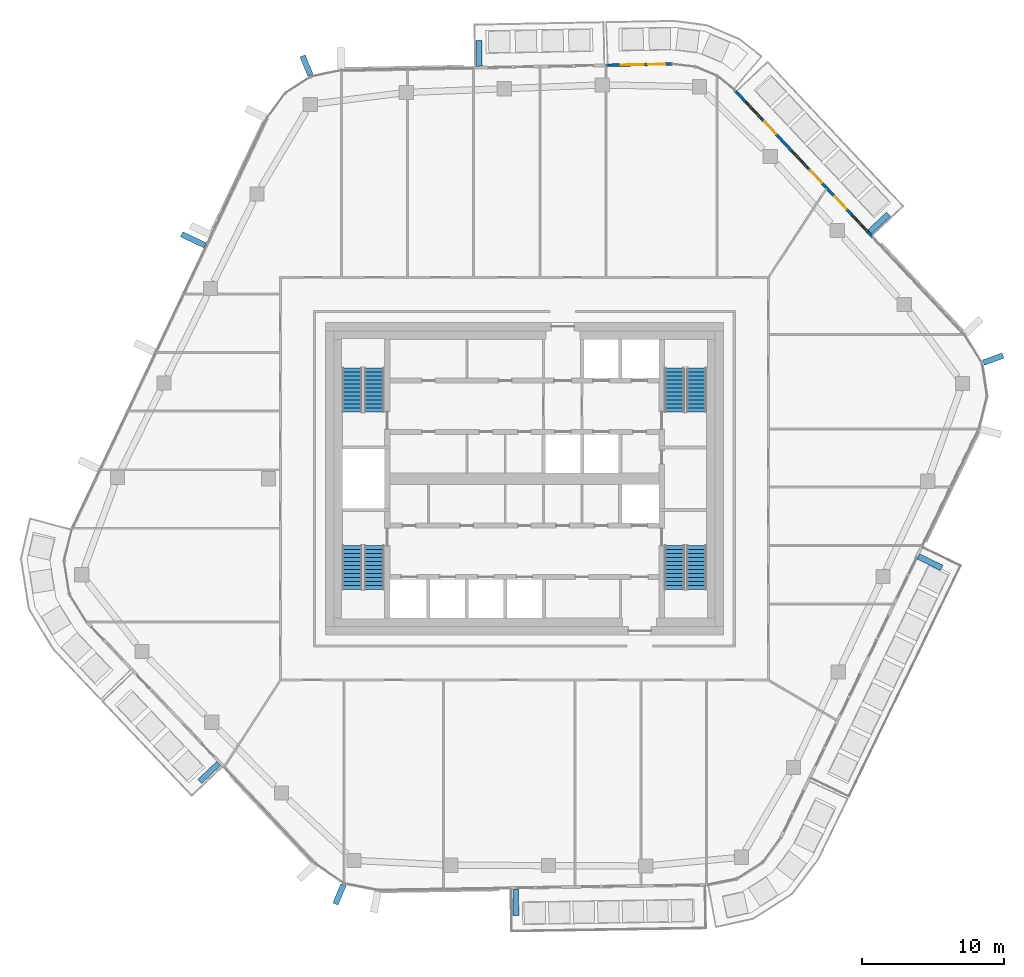
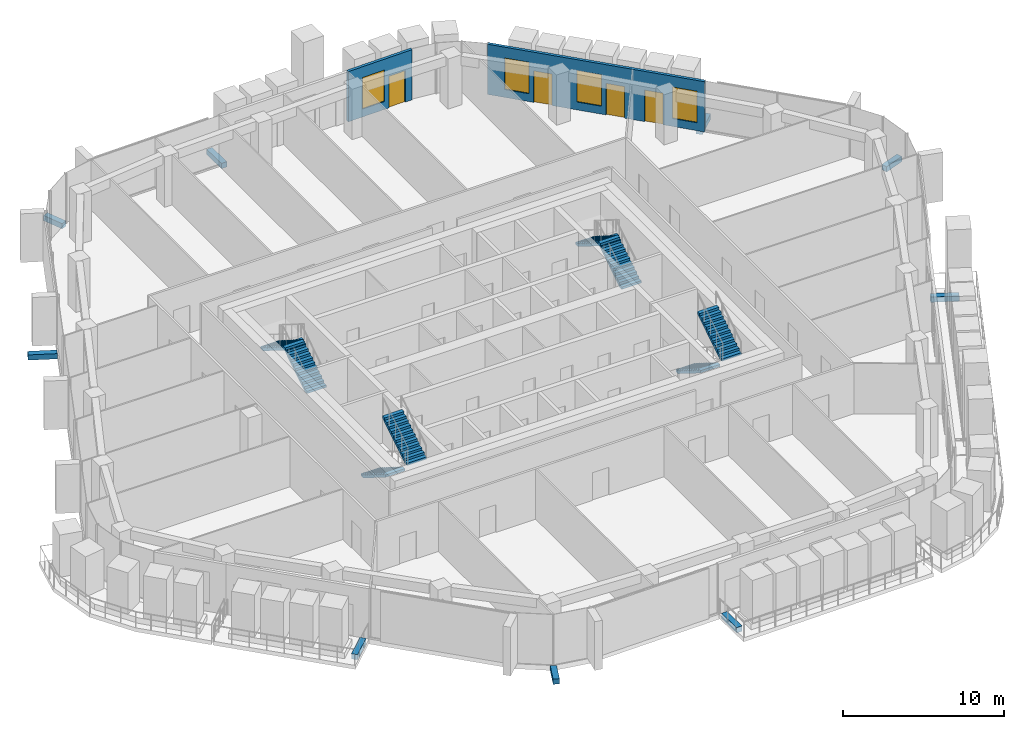
# One storey, part 17 of 24: 9 discrete accessories, 8 stair flights, 4 doors, 4 windows, 2 walls, 8 openings, 4 elements without a shape of their own.
"""IFC4 building model written with IfcOpenShell, lengths in metres."""

from ifc_helpers import new_model, si_unit, direction, frame, frame_2d, origin, origin_2d, place, context, subcontext, project, spatial, polyline, rectangle, outline, extrude, material, layer, layer_set, type_object, element, fill, aggregate, save


model = new_model("IFC4")

# Units and contexts
model_context = context("Model", 3, precision=1e-05, world=origin(), true_north=direction((0.0, 1.0)))
body_context = subcontext(model_context, "Body", "Model", "MODEL_VIEW")
ifc_project = project(units=[si_unit("LENGTHUNIT", "METRE"), si_unit("AREAUNIT", "SQUARE_METRE"), si_unit("VOLUMEUNIT", "CUBIC_METRE"), si_unit("PLANEANGLEUNIT", "RADIAN"), si_unit("MASSUNIT", "GRAM", prefix="KILO")], contexts=[model_context])

# Site, building, storey
site_placement = place(None, origin())
site = spatial("IfcSite", under=ifc_project, at=site_placement, CompositionType="ELEMENT")
building_placement = place(site_placement, origin())
building = spatial("IfcBuilding", under=site, at=building_placement, Name="Dongbaek Canopy Tower", CompositionType="ELEMENT")
storey_placement = place(building_placement, frame((0.0, 0.0, 302.60009765625)))
storey = spatial("IfcBuildingStorey", under=building, at=storey_placement, Name="L64", CompositionType="ELEMENT", Elevation=302.60009765625)

# Wall, openings, doors, windows
ifc_material_1 = material(Name="Aluminium window wall", Category="aluminium")
ifc_layer_1 = layer(ifc_material_1, 0.199951171875)
ifc_layer_set_1 = layer_set([ifc_layer_1], Name="Window wall 200")
wall_type = type_object("IfcWallType", Name="Window wall 200", PredefinedType="SOLIDWALL", material=ifc_layer_set_1)
wall_1_placement = place(storey_placement, frame((24.482421875, 17.000244140625, 0.0), z_axis=(0.0, 0.0, 1.0), x_axis=(-0.684823965592, 0.728708539919, 0.0)))
wall_1 = element("IfcWall", 1, at=wall_1_placement, inside=storey, type_object=wall_type, Name="Window wall L64 1", PredefinedType="SOLIDWALL", context=body_context, shape_type="SweptSolid", body=[
    extrude(rectangle(XDim=14.130615234375, YDim=0.199951171875, at=frame_2d((7.0654296875, 0.0))), origin(), (0.0, 0.0, 1.0), 3.81982421875),
])
opening_1_placement = place(wall_1_placement, frame((0.5, 0.0, 0.60009765625)))
opening_1 = element("IfcOpeningElement", 2, at=opening_1_placement, cuts=wall_1, Name="Opening W1", PredefinedType="OPENING", context=body_context, shape_type="SweptSolid", body=[
    extrude(rectangle(XDim=1.60009765625, YDim=2.39990234375, at=frame_2d((0.800048828125, 1.199951171875))), frame((0.0, 0.10986328125, 0.0), z_axis=(0.0, -1.0, 0.0), x_axis=(1.0, 0.0, 0.0)), (0.0, 0.0, 1.0), 0.219970703125),
])
opening_2_placement = place(wall_1_placement, frame((2.699951171875, 0.0, 0.0)))
opening_2 = element("IfcOpeningElement", 3, at=opening_2_placement, cuts=wall_1, Name="Opening L64-B01", PredefinedType="OPENING", context=body_context, shape_type="SweptSolid", body=[
    extrude(rectangle(XDim=1.199951171875, YDim=2.39990234375, at=frame_2d((0.60009765625, 1.199951171875))), frame((0.0, 0.10986328125, 0.0), z_axis=(0.0, -1.0, 0.0), x_axis=(1.0, 0.0, 0.0)), (0.0, 0.0, 1.0), 0.219970703125),
])
opening_3_placement = place(wall_1_placement, frame((6.710205078125, 0.0, 0.60009765625)))
opening_3 = element("IfcOpeningElement", 4, at=opening_3_placement, cuts=wall_1, Name="Opening W1", PredefinedType="OPENING", context=body_context, shape_type="SweptSolid", body=[
    extrude(rectangle(XDim=1.60009765625, YDim=2.39990234375, at=frame_2d((0.800048828125, 1.199951171875))), frame((0.0, 0.10986328125, 0.0), z_axis=(0.0, -1.0, 0.0), x_axis=(1.0, 0.0, 0.0)), (0.0, 0.0, 1.0), 0.219970703125),
])
opening_4_placement = place(wall_1_placement, frame((5.210205078125, 0.0, 0.0)))
opening_4 = element("IfcOpeningElement", 5, at=opening_4_placement, cuts=wall_1, Name="Opening L64-B02", PredefinedType="OPENING", context=body_context, shape_type="SweptSolid", body=[
    extrude(rectangle(XDim=1.199951171875, YDim=2.39990234375, at=frame_2d((0.60009765625, 1.199951171875))), frame((0.0, 0.10986328125, 0.0), z_axis=(0.0, -1.0, 0.0), x_axis=(1.0, 0.0, 0.0)), (0.0, 0.0, 1.0), 0.219970703125),
])
opening_5_placement = place(wall_1_placement, frame((11.42041015625, 0.0, 0.60009765625)))
opening_5 = element("IfcOpeningElement", 6, at=opening_5_placement, cuts=wall_1, Name="Opening W1", PredefinedType="OPENING", context=body_context, shape_type="SweptSolid", body=[
    extrude(rectangle(XDim=1.60009765625, YDim=2.39990234375, at=frame_2d((0.800048828125, 1.199951171875))), frame((0.0, 0.10986328125, 0.0), z_axis=(0.0, -1.0, 0.0), x_axis=(1.0, 0.0, 0.0)), (0.0, 0.0, 1.0), 0.219970703125),
])
opening_6_placement = place(wall_1_placement, frame((9.92041015625, 0.0, 0.0)))
opening_6 = element("IfcOpeningElement", 7, at=opening_6_placement, cuts=wall_1, Name="Opening L64-B03", PredefinedType="OPENING", context=body_context, shape_type="SweptSolid", body=[
    extrude(rectangle(XDim=1.199951171875, YDim=2.39990234375, at=frame_2d((0.60009765625, 1.199951171875))), frame((0.0, 0.10986328125, 0.0), z_axis=(0.0, -1.0, 0.0), x_axis=(1.0, 0.0, 0.0)), (0.0, 0.0, 1.0), 0.219970703125),
])
ifc_material_2 = material(Name="Clear glazing in aluminium frame", Category="aluminium")
door_type = type_object("IfcDoorType", Name="Balcony door BD1 1200 x 2400", OperationType="SLIDING_TO_LEFT", PredefinedType="DOOR", material=ifc_material_2)
door_1_placement = place(opening_2_placement, origin())
door_1 = element("IfcDoor", 8, at=door_1_placement, inside=storey, type_object=door_type, Name="Balcony door L64-B01", OperationType="SLIDING_TO_LEFT", OverallHeight=2.39990234375, OverallWidth=1.199951171875, PredefinedType="DOOR", context=body_context, shape_type="SweptSolid", body=[
    extrude(rectangle(XDim=1.199951171875, YDim=2.39990234375, at=frame_2d((0.60009765625, 1.199951171875))), frame((0.0, 0.02490234375, 0.0), z_axis=(0.0, -1.0, 0.0), x_axis=(1.0, 0.0, 0.0)), (0.0, 0.0, 1.0), 0.050048828125),
])
fill(opening_2, door_1)
door_2_placement = place(opening_4_placement, origin())
door_2 = element("IfcDoor", 9, at=door_2_placement, inside=storey, type_object=door_type, Name="Balcony door L64-B02", OperationType="SLIDING_TO_LEFT", OverallHeight=2.39990234375, OverallWidth=1.199951171875, PredefinedType="DOOR", context=body_context, shape_type="SweptSolid", body=[
    extrude(rectangle(XDim=1.199951171875, YDim=2.39990234375, at=frame_2d((0.60009765625, 1.199951171875))), frame((0.0, 0.02490234375, 0.0), z_axis=(0.0, -1.0, 0.0), x_axis=(1.0, 0.0, 0.0)), (0.0, 0.0, 1.0), 0.050048828125),
])
fill(opening_4, door_2)
door_3_placement = place(opening_6_placement, origin())
door_3 = element("IfcDoor", 10, at=door_3_placement, inside=storey, type_object=door_type, Name="Balcony door L64-B03", OperationType="SLIDING_TO_LEFT", OverallHeight=2.39990234375, OverallWidth=1.199951171875, PredefinedType="DOOR", context=body_context, shape_type="SweptSolid", body=[
    extrude(rectangle(XDim=1.199951171875, YDim=2.39990234375, at=frame_2d((0.60009765625, 1.199951171875))), frame((0.0, 0.02490234375, 0.0), z_axis=(0.0, -1.0, 0.0), x_axis=(1.0, 0.0, 0.0)), (0.0, 0.0, 1.0), 0.050048828125),
])
fill(opening_6, door_3)
ifc_material_3 = material(Name="Clear glazing in aluminium frame", Category="aluminium")
window_type = type_object("IfcWindowType", Name="Window W1 1600 x 2400", PartitioningType="SINGLE_PANEL", PredefinedType="WINDOW", material=ifc_material_3)
window_1_placement = place(opening_1_placement, origin())
window_1 = element("IfcWindow", 11, at=window_1_placement, inside=storey, type_object=window_type, Name="Window L64 1.1", OverallHeight=2.39990234375, OverallWidth=1.60009765625, PartitioningType="SINGLE_PANEL", PredefinedType="WINDOW", context=body_context, shape_type="SweptSolid", body=[
    extrude(rectangle(XDim=1.60009765625, YDim=2.39990234375, at=frame_2d((0.800048828125, 1.199951171875))), frame((0.0, 0.030029296875, 0.0), z_axis=(0.0, -1.0, 0.0), x_axis=(1.0, 0.0, 0.0)), (0.0, 0.0, 1.0), 0.06005859375),
])
fill(opening_1, window_1)
window_2_placement = place(opening_3_placement, origin())
window_2 = element("IfcWindow", 12, at=window_2_placement, inside=storey, type_object=window_type, Name="Window L64 1.2", OverallHeight=2.39990234375, OverallWidth=1.60009765625, PartitioningType="SINGLE_PANEL", PredefinedType="WINDOW", context=body_context, shape_type="SweptSolid", body=[
    extrude(rectangle(XDim=1.60009765625, YDim=2.39990234375, at=frame_2d((0.800048828125, 1.199951171875))), frame((0.0, 0.030029296875, 0.0), z_axis=(0.0, -1.0, 0.0), x_axis=(1.0, 0.0, 0.0)), (0.0, 0.0, 1.0), 0.06005859375),
])
fill(opening_3, window_2)
window_3_placement = place(opening_5_placement, origin())
window_3 = element("IfcWindow", 13, at=window_3_placement, inside=storey, type_object=window_type, Name="Window L64 1.3", OverallHeight=2.39990234375, OverallWidth=1.60009765625, PartitioningType="SINGLE_PANEL", PredefinedType="WINDOW", context=body_context, shape_type="SweptSolid", body=[
    extrude(rectangle(XDim=1.60009765625, YDim=2.39990234375, at=frame_2d((0.800048828125, 1.199951171875))), frame((0.0, 0.030029296875, 0.0), z_axis=(0.0, -1.0, 0.0), x_axis=(1.0, 0.0, 0.0)), (0.0, 0.0, 1.0), 0.06005859375),
])
fill(opening_5, window_3)

# Wall, openings, door, window
wall_2_placement = place(storey_placement, frame((10.3828125, 29.16064453125, 0.0), z_axis=(0.0, 0.0, 1.0), x_axis=(-0.999821262404, -0.018906169475, 0.0)))
wall_2 = element("IfcWall", 14, at=wall_2_placement, inside=storey, type_object=wall_type, Name="Window wall L64 6", PredefinedType="SOLIDWALL", context=body_context, shape_type="SweptSolid", body=[
    extrude(rectangle(XDim=4.648681640625, YDim=0.199951171875, at=frame_2d((2.32421875, 0.0))), origin(), (0.0, 0.0, 1.0), 3.81982421875),
])
opening_7_placement = place(wall_2_placement, frame((2.0, 0.0, 0.60009765625)))
opening_7 = element("IfcOpeningElement", 15, at=opening_7_placement, cuts=wall_2, Name="Opening W1", PredefinedType="OPENING", context=body_context, shape_type="SweptSolid", body=[
    extrude(rectangle(XDim=1.60009765625, YDim=2.39990234375, at=frame_2d((0.800048828125, 1.199951171875))), frame((0.0, 0.10986328125, 0.0), z_axis=(0.0, -1.0, 0.0), x_axis=(1.0, 0.0, 0.0)), (0.0, 0.0, 1.0), 0.219970703125),
])
opening_8_placement = place(wall_2_placement, frame((0.5, 0.0, 0.0)))
opening_8 = element("IfcOpeningElement", 16, at=opening_8_placement, cuts=wall_2, Name="Opening L64-B06", PredefinedType="OPENING", context=body_context, shape_type="SweptSolid", body=[
    extrude(rectangle(XDim=1.199951171875, YDim=2.39990234375, at=frame_2d((0.60009765625, 1.199951171875))), frame((0.0, 0.10986328125, 0.0), z_axis=(0.0, -1.0, 0.0), x_axis=(1.0, 0.0, 0.0)), (0.0, 0.0, 1.0), 0.219970703125),
])
door_4_placement = place(opening_8_placement, origin())
door_4 = element("IfcDoor", 17, at=door_4_placement, inside=storey, type_object=door_type, Name="Balcony door L64-B06", OperationType="SLIDING_TO_LEFT", OverallHeight=2.39990234375, OverallWidth=1.199951171875, PredefinedType="DOOR", context=body_context, shape_type="SweptSolid", body=[
    extrude(rectangle(XDim=1.199951171875, YDim=2.39990234375, at=frame_2d((0.60009765625, 1.199951171875))), frame((0.0, 0.02490234375, 0.0), z_axis=(0.0, -1.0, 0.0), x_axis=(1.0, 0.0, 0.0)), (0.0, 0.0, 1.0), 0.050048828125),
])
fill(opening_8, door_4)
window_4_placement = place(opening_7_placement, origin())
window_4 = element("IfcWindow", 18, at=window_4_placement, inside=storey, type_object=window_type, Name="Window L64 6.1", OverallHeight=2.39990234375, OverallWidth=1.60009765625, PartitioningType="SINGLE_PANEL", PredefinedType="WINDOW", context=body_context, shape_type="SweptSolid", body=[
    extrude(rectangle(XDim=1.60009765625, YDim=2.39990234375, at=frame_2d((0.800048828125, 1.199951171875))), frame((0.0, 0.030029296875, 0.0), z_axis=(0.0, -1.0, 0.0), x_axis=(1.0, 0.0, 0.0)), (0.0, 0.0, 1.0), 0.06005859375),
])
fill(opening_7, window_4)

# Stair, stair flights
ifc_material_4 = material(Name="Concrete C40/50", Category="concrete")
stair_type = type_object("IfcStairType", Name="Core exit stair", PredefinedType="HALF_TURN_STAIR", material=ifc_material_4)
stair_1_placement = place(storey_placement, origin())
stair_1 = element("IfcStair", 19, at=stair_1_placement, inside=storey, type_object=stair_type, Name="L64 exit stair A", PredefinedType="HALF_TURN_STAIR")
ifc_material_5 = material(Name="Concrete C40/50", Category="concrete")
ifc_layer_2 = layer(ifc_material_5, 0.14990234375)
ifc_layer_set_2 = layer_set([ifc_layer_2], Name="Core stair flight 150 waist")
stair_flight_type = type_object("IfcStairFlightType", Name="Core stair flight 150 waist", PredefinedType="STRAIGHT", material=ifc_layer_set_2)
stair_flight_1_placement = place(storey_placement, frame((12.10009765625, 4.699951171875, 0.0), z_axis=(0.0, 0.0, 1.0), x_axis=(0.0, 1.0, 0.0)))
stair_flight_1 = element("IfcStairFlight", 20, at=stair_flight_1_placement, type_object=stair_flight_type, Name="ST-A flight 1", NumberOfRisers=12, NumberOfTreads=11, PredefinedType="STRAIGHT", RiserHeight=0.175, TreadLength=0.28, context=body_context, shape_type="SweptSolid", body=[
    extrude(outline(polyline([(0.0, 0.0), (0.0, 0.175048828125), (0.280029296875, 0.175048828125), (0.280029296875, 0.35009765625), (0.56005859375, 0.35009765625), (0.56005859375, 0.52490234375), (0.840087890625, 0.52490234375), (0.840087890625, 0.699951171875), (1.1201171875, 0.699951171875), (1.1201171875, 0.875), (1.39990234375, 0.875), (1.39990234375, 1.050048828125), (1.679931640625, 1.050048828125), (1.679931640625, 1.22509765625), (1.9599609375, 1.22509765625), (1.9599609375, 1.39990234375), (2.239990234375, 1.39990234375), (2.239990234375, 1.574951171875), (2.52001953125, 1.574951171875), (2.52001953125, 1.75), (2.800048828125, 1.75), (2.800048828125, 1.925048828125), (3.080078125, 1.925048828125), (3.080078125, 2.10009765625), (3.080078125, 1.748291015625), (0.28271484375, 0.0), (0.0, 0.0)])), frame((0.0, 0.699951171875, 0.0), z_axis=(0.0, -1.0, 0.0), x_axis=(1.0, 0.0, 0.0)), (0.0, 0.0, 1.0), 1.39990234375),
])
stair_flight_2_placement = place(storey_placement, frame((10.550048828125, 7.780029296875, 2.099853515625), z_axis=(0.0, 0.0, 1.0), x_axis=(0.0, -1.0, 0.0)))
stair_flight_2 = element("IfcStairFlight", 21, at=stair_flight_2_placement, type_object=stair_flight_type, Name="ST-A flight 2", NumberOfRisers=12, NumberOfTreads=11, PredefinedType="STRAIGHT", RiserHeight=0.175, TreadLength=0.28, context=body_context, shape_type="SweptSolid", body=[
    extrude(outline(polyline([(0.0, 0.0), (0.0, 0.175048828125), (0.280029296875, 0.175048828125), (0.280029296875, 0.35009765625), (0.56005859375, 0.35009765625), (0.56005859375, 0.52490234375), (0.840087890625, 0.52490234375), (0.840087890625, 0.699951171875), (1.1201171875, 0.699951171875), (1.1201171875, 0.875), (1.39990234375, 0.875), (1.39990234375, 1.050048828125), (1.679931640625, 1.050048828125), (1.679931640625, 1.22509765625), (1.9599609375, 1.22509765625), (1.9599609375, 1.39990234375), (2.239990234375, 1.39990234375), (2.239990234375, 1.574951171875), (2.52001953125, 1.574951171875), (2.52001953125, 1.75), (2.800048828125, 1.75), (2.800048828125, 1.925048828125), (3.080078125, 1.925048828125), (3.080078125, 2.10009765625), (3.080078125, 1.748291015625), (0.28271484375, 0.0), (0.0, 0.0)])), frame((0.0, 0.699951171875, 0.0), z_axis=(0.0, -1.0, 0.0), x_axis=(1.0, 0.0, 0.0)), (0.0, 0.0, 1.0), 1.39990234375),
])
aggregate(stair_1, [stair_flight_1, stair_flight_2])

stair_2_placement = place(storey_placement, origin())
stair_2 = element("IfcStair", 22, at=stair_2_placement, inside=storey, type_object=stair_type, Name="L64 exit stair C", PredefinedType="HALF_TURN_STAIR")
stair_flight_3_placement = place(storey_placement, frame((-10.550048828125, 4.699951171875, 0.0), z_axis=(0.0, 0.0, 1.0), x_axis=(0.0, 1.0, 0.0)))
stair_flight_3 = element("IfcStairFlight", 23, at=stair_flight_3_placement, type_object=stair_flight_type, Name="ST-C flight 1", NumberOfRisers=12, NumberOfTreads=11, PredefinedType="STRAIGHT", RiserHeight=0.175, TreadLength=0.28, context=body_context, shape_type="SweptSolid", body=[
    extrude(outline(polyline([(0.0, 0.0), (0.0, 0.175048828125), (0.280029296875, 0.175048828125), (0.280029296875, 0.35009765625), (0.56005859375, 0.35009765625), (0.56005859375, 0.52490234375), (0.840087890625, 0.52490234375), (0.840087890625, 0.699951171875), (1.1201171875, 0.699951171875), (1.1201171875, 0.875), (1.39990234375, 0.875), (1.39990234375, 1.050048828125), (1.679931640625, 1.050048828125), (1.679931640625, 1.22509765625), (1.9599609375, 1.22509765625), (1.9599609375, 1.39990234375), (2.239990234375, 1.39990234375), (2.239990234375, 1.574951171875), (2.52001953125, 1.574951171875), (2.52001953125, 1.75), (2.800048828125, 1.75), (2.800048828125, 1.925048828125), (3.080078125, 1.925048828125), (3.080078125, 2.10009765625), (3.080078125, 1.748291015625), (0.28271484375, 0.0), (0.0, 0.0)])), frame((0.0, 0.699951171875, 0.0), z_axis=(0.0, -1.0, 0.0), x_axis=(1.0, 0.0, 0.0)), (0.0, 0.0, 1.0), 1.39990234375),
])
stair_flight_4_placement = place(storey_placement, frame((-12.10009765625, 7.780029296875, 2.099853515625), z_axis=(0.0, 0.0, 1.0), x_axis=(0.0, -1.0, 0.0)))
stair_flight_4 = element("IfcStairFlight", 24, at=stair_flight_4_placement, type_object=stair_flight_type, Name="ST-C flight 2", NumberOfRisers=12, NumberOfTreads=11, PredefinedType="STRAIGHT", RiserHeight=0.175, TreadLength=0.28, context=body_context, shape_type="SweptSolid", body=[
    extrude(outline(polyline([(0.0, 0.0), (0.0, 0.175048828125), (0.280029296875, 0.175048828125), (0.280029296875, 0.35009765625), (0.56005859375, 0.35009765625), (0.56005859375, 0.52490234375), (0.840087890625, 0.52490234375), (0.840087890625, 0.699951171875), (1.1201171875, 0.699951171875), (1.1201171875, 0.875), (1.39990234375, 0.875), (1.39990234375, 1.050048828125), (1.679931640625, 1.050048828125), (1.679931640625, 1.22509765625), (1.9599609375, 1.22509765625), (1.9599609375, 1.39990234375), (2.239990234375, 1.39990234375), (2.239990234375, 1.574951171875), (2.52001953125, 1.574951171875), (2.52001953125, 1.75), (2.800048828125, 1.75), (2.800048828125, 1.925048828125), (3.080078125, 1.925048828125), (3.080078125, 2.10009765625), (3.080078125, 1.748291015625), (0.28271484375, 0.0), (0.0, 0.0)])), frame((0.0, 0.699951171875, 0.0), z_axis=(0.0, -1.0, 0.0), x_axis=(1.0, 0.0, 0.0)), (0.0, 0.0, 1.0), 1.39990234375),
])
aggregate(stair_2, [stair_flight_3, stair_flight_4])

stair_3_placement = place(storey_placement, origin())
stair_3 = element("IfcStair", 25, at=stair_3_placement, inside=storey, type_object=stair_type, Name="L64 exit stair B", PredefinedType="HALF_TURN_STAIR")
stair_flight_5_placement = place(storey_placement, frame((10.550048828125, -4.699951171875, 0.0), z_axis=(0.0, 0.0, 1.0), x_axis=(0.0, -1.0, 0.0)))
stair_flight_5 = element("IfcStairFlight", 26, at=stair_flight_5_placement, type_object=stair_flight_type, Name="ST-B flight 1", NumberOfRisers=12, NumberOfTreads=11, PredefinedType="STRAIGHT", RiserHeight=0.175, TreadLength=0.28, context=body_context, shape_type="SweptSolid", body=[
    extrude(outline(polyline([(0.0, 0.0), (0.0, 0.175048828125), (0.280029296875, 0.175048828125), (0.280029296875, 0.35009765625), (0.56005859375, 0.35009765625), (0.56005859375, 0.52490234375), (0.840087890625, 0.52490234375), (0.840087890625, 0.699951171875), (1.1201171875, 0.699951171875), (1.1201171875, 0.875), (1.39990234375, 0.875), (1.39990234375, 1.050048828125), (1.679931640625, 1.050048828125), (1.679931640625, 1.22509765625), (1.9599609375, 1.22509765625), (1.9599609375, 1.39990234375), (2.239990234375, 1.39990234375), (2.239990234375, 1.574951171875), (2.52001953125, 1.574951171875), (2.52001953125, 1.75), (2.800048828125, 1.75), (2.800048828125, 1.925048828125), (3.080078125, 1.925048828125), (3.080078125, 2.10009765625), (3.080078125, 1.748291015625), (0.28271484375, 0.0), (0.0, 0.0)])), frame((0.0, 0.699951171875, 0.0), z_axis=(0.0, -1.0, 0.0), x_axis=(1.0, 0.0, 0.0)), (0.0, 0.0, 1.0), 1.39990234375),
])
stair_flight_6_placement = place(storey_placement, frame((12.10009765625, -7.780029296875, 2.099853515625), z_axis=(0.0, 0.0, 1.0), x_axis=(0.0, 1.0, 0.0)))
stair_flight_6 = element("IfcStairFlight", 27, at=stair_flight_6_placement, type_object=stair_flight_type, Name="ST-B flight 2", NumberOfRisers=12, NumberOfTreads=11, PredefinedType="STRAIGHT", RiserHeight=0.175, TreadLength=0.28, context=body_context, shape_type="SweptSolid", body=[
    extrude(outline(polyline([(0.0, 0.0), (0.0, 0.175048828125), (0.280029296875, 0.175048828125), (0.280029296875, 0.35009765625), (0.56005859375, 0.35009765625), (0.56005859375, 0.52490234375), (0.840087890625, 0.52490234375), (0.840087890625, 0.699951171875), (1.1201171875, 0.699951171875), (1.1201171875, 0.875), (1.39990234375, 0.875), (1.39990234375, 1.050048828125), (1.679931640625, 1.050048828125), (1.679931640625, 1.22509765625), (1.9599609375, 1.22509765625), (1.9599609375, 1.39990234375), (2.239990234375, 1.39990234375), (2.239990234375, 1.574951171875), (2.52001953125, 1.574951171875), (2.52001953125, 1.75), (2.800048828125, 1.75), (2.800048828125, 1.925048828125), (3.080078125, 1.925048828125), (3.080078125, 2.10009765625), (3.080078125, 1.748291015625), (0.28271484375, 0.0), (0.0, 0.0)])), frame((0.0, 0.699951171875, 0.0), z_axis=(0.0, -1.0, 0.0), x_axis=(1.0, 0.0, 0.0)), (0.0, 0.0, 1.0), 1.39990234375),
])
aggregate(stair_3, [stair_flight_5, stair_flight_6])

stair_4_placement = place(storey_placement, origin())
stair_4 = element("IfcStair", 28, at=stair_4_placement, inside=storey, type_object=stair_type, Name="L64 exit stair D", PredefinedType="HALF_TURN_STAIR")
stair_flight_7_placement = place(storey_placement, frame((-12.10009765625, -4.699951171875, 0.0), z_axis=(0.0, 0.0, 1.0), x_axis=(0.0, -1.0, 0.0)))
stair_flight_7 = element("IfcStairFlight", 29, at=stair_flight_7_placement, type_object=stair_flight_type, Name="ST-D flight 1", NumberOfRisers=12, NumberOfTreads=11, PredefinedType="STRAIGHT", RiserHeight=0.175, TreadLength=0.28, context=body_context, shape_type="SweptSolid", body=[
    extrude(outline(polyline([(0.0, 0.0), (0.0, 0.175048828125), (0.280029296875, 0.175048828125), (0.280029296875, 0.35009765625), (0.56005859375, 0.35009765625), (0.56005859375, 0.52490234375), (0.840087890625, 0.52490234375), (0.840087890625, 0.699951171875), (1.1201171875, 0.699951171875), (1.1201171875, 0.875), (1.39990234375, 0.875), (1.39990234375, 1.050048828125), (1.679931640625, 1.050048828125), (1.679931640625, 1.22509765625), (1.9599609375, 1.22509765625), (1.9599609375, 1.39990234375), (2.239990234375, 1.39990234375), (2.239990234375, 1.574951171875), (2.52001953125, 1.574951171875), (2.52001953125, 1.75), (2.800048828125, 1.75), (2.800048828125, 1.925048828125), (3.080078125, 1.925048828125), (3.080078125, 2.10009765625), (3.080078125, 1.748291015625), (0.28271484375, 0.0), (0.0, 0.0)])), frame((0.0, 0.699951171875, 0.0), z_axis=(0.0, -1.0, 0.0), x_axis=(1.0, 0.0, 0.0)), (0.0, 0.0, 1.0), 1.39990234375),
])
stair_flight_8_placement = place(storey_placement, frame((-10.550048828125, -7.780029296875, 2.099853515625), z_axis=(0.0, 0.0, 1.0), x_axis=(0.0, 1.0, 0.0)))
stair_flight_8 = element("IfcStairFlight", 30, at=stair_flight_8_placement, type_object=stair_flight_type, Name="ST-D flight 2", NumberOfRisers=12, NumberOfTreads=11, PredefinedType="STRAIGHT", RiserHeight=0.175, TreadLength=0.28, context=body_context, shape_type="SweptSolid", body=[
    extrude(outline(polyline([(0.0, 0.0), (0.0, 0.175048828125), (0.280029296875, 0.175048828125), (0.280029296875, 0.35009765625), (0.56005859375, 0.35009765625), (0.56005859375, 0.52490234375), (0.840087890625, 0.52490234375), (0.840087890625, 0.699951171875), (1.1201171875, 0.699951171875), (1.1201171875, 0.875), (1.39990234375, 0.875), (1.39990234375, 1.050048828125), (1.679931640625, 1.050048828125), (1.679931640625, 1.22509765625), (1.9599609375, 1.22509765625), (1.9599609375, 1.39990234375), (2.239990234375, 1.39990234375), (2.239990234375, 1.574951171875), (2.52001953125, 1.574951171875), (2.52001953125, 1.75), (2.800048828125, 1.75), (2.800048828125, 1.925048828125), (3.080078125, 1.925048828125), (3.080078125, 2.10009765625), (3.080078125, 1.748291015625), (0.28271484375, 0.0), (0.0, 0.0)])), frame((0.0, 0.699951171875, 0.0), z_axis=(0.0, -1.0, 0.0), x_axis=(1.0, 0.0, 0.0)), (0.0, 0.0, 1.0), 1.39990234375),
])
aggregate(stair_4, [stair_flight_7, stair_flight_8])

# Discrete accessories
ifc_material_6 = material(Name="Galvanised steel S355 bracket", Category="steel")
discrete_accessory_type = type_object("IfcDiscreteAccessoryType", Name="Crease fin bracket BR3 400", PredefinedType="BRACKET", material=ifc_material_6)
discrete_accessory_1_placement = place(storey_placement, frame((28.516845703125, -5.861083984375, -0.39013671875), z_axis=(0.0, 0.0, 1.0), x_axis=(0.900013181955, -0.435862675975, 0.0)))
element("IfcDiscreteAccessory", 31, at=discrete_accessory_1_placement, inside=storey, type_object=discrete_accessory_type, Name="Crease fin bracket L64 F5", PredefinedType="BRACKET", context=body_context, shape_type="SweptSolid", body=[
    extrude(rectangle(XDim=1.80224609375, YDim=0.39990234375, at=origin_2d()), origin(), (0.0, 0.0, 1.0), 0.39990234375),
])
discrete_accessory_2_placement = place(storey_placement, frame((24.935546875, 17.97900390625, -0.39013671875), z_axis=(0.0, 0.0, 1.0), x_axis=(0.728702140715, 0.684830774803, 0.0)))
element("IfcDiscreteAccessory", 32, at=discrete_accessory_2_placement, inside=storey, type_object=discrete_accessory_type, Name="Crease fin bracket L64 F0", PredefinedType="BRACKET", context=body_context, shape_type="SweptSolid", body=[
    extrude(rectangle(XDim=1.800537109375, YDim=0.39990234375, at=origin_2d()), origin(), (0.0, 0.0, 1.0), 0.39990234375),
])
discrete_accessory_3_placement = place(storey_placement, frame((-3.181640625, 29.910400390625, -0.39013671875), z_axis=(0.0, 0.0, 1.0), x_axis=(-0.0189042803, 0.999821298126, 0.0)))
element("IfcDiscreteAccessory", 33, at=discrete_accessory_3_placement, inside=storey, type_object=discrete_accessory_type, Name="Crease fin bracket L64 F1", PredefinedType="BRACKET", context=body_context, shape_type="SweptSolid", body=[
    extrude(rectangle(XDim=1.811767578125, YDim=0.39990234375, at=origin_2d()), origin(), (0.0, 0.0, 1.0), 0.39990234375),
])
discrete_accessory_4_placement = place(storey_placement, frame((-23.281982421875, 16.80517578125, -0.39013671875), z_axis=(0.0, 0.0, 1.0), x_axis=(-0.903236449331, 0.42914323553, 0.0)))
element("IfcDiscreteAccessory", 34, at=discrete_accessory_4_placement, inside=storey, type_object=discrete_accessory_type, Name="Crease fin bracket L64 F2", PredefinedType="BRACKET", context=body_context, shape_type="SweptSolid", body=[
    extrude(rectangle(XDim=1.81982421875, YDim=0.39990234375, at=origin_2d()), origin(), (0.0, 0.0, 1.0), 0.39990234375),
])
discrete_accessory_5_placement = place(storey_placement, frame((-22.160400390625, -20.64892578125, -0.39013671875), z_axis=(0.0, 0.0, 1.0), x_axis=(-0.726355181425, -0.687319540255, 0.0)))
element("IfcDiscreteAccessory", 35, at=discrete_accessory_5_placement, inside=storey, type_object=discrete_accessory_type, Name="Crease fin bracket L64 F3", PredefinedType="BRACKET", context=body_context, shape_type="SweptSolid", body=[
    extrude(rectangle(XDim=1.847412109375, YDim=0.39990234375, at=origin_2d()), origin(), (0.0, 0.0, 1.0), 0.39990234375),
])
discrete_accessory_6_placement = place(storey_placement, frame((-0.602783203125, -29.780029296875, -0.39013671875), z_axis=(0.0, 0.0, 1.0), x_axis=(0.015684630827, -0.999876988612, 0.0)))
element("IfcDiscreteAccessory", 36, at=discrete_accessory_6_placement, inside=storey, type_object=discrete_accessory_type, Name="Crease fin bracket L64 F4", PredefinedType="BRACKET", context=body_context, shape_type="SweptSolid", body=[
    extrude(rectangle(XDim=1.83935546875, YDim=0.39990234375, at=origin_2d()), origin(), (0.0, 0.0, 1.0), 0.39990234375),
])
for number, where, z_axis, x_axis, name in (
    (37, (32.95849609375, 8.41748046875, -0.39013671875), (0.0, 0.0, 1.0), (0.938484585253, 0.345321130606, 0.0), "Corner fin bracket L64 K0"),
    (38, (-15.323486328125, 29.05517578125, -0.39013671875), (0.0, 0.0, 1.0), (-0.378666386385, 0.925533234315, 0.0), "Corner fin bracket L64 K2"),
    (39, (-13.005615234375, -29.219970703125, -0.39013671875), (0.0, 0.0, 1.0), (-0.388183200954, -0.921582227746, 0.0), "Corner fin bracket L64 K4"),
):
    element("IfcDiscreteAccessory", number, at=place(storey_placement, frame(where, z_axis=z_axis, x_axis=x_axis)), inside=storey, type_object=discrete_accessory_type, Name=name, PredefinedType="BRACKET", context=body_context, shape_type="SweptSolid", body=[
        extrude(rectangle(XDim=1.469970703125, YDim=0.39990234375, at=origin_2d()), origin(), (0.0, 0.0, 1.0), 0.39990234375),
    ])

save(model, "model.ifc")
